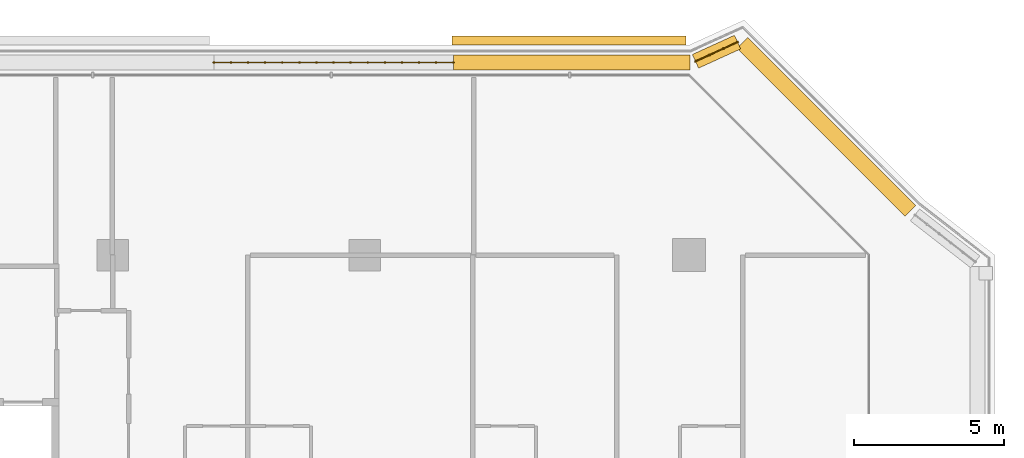
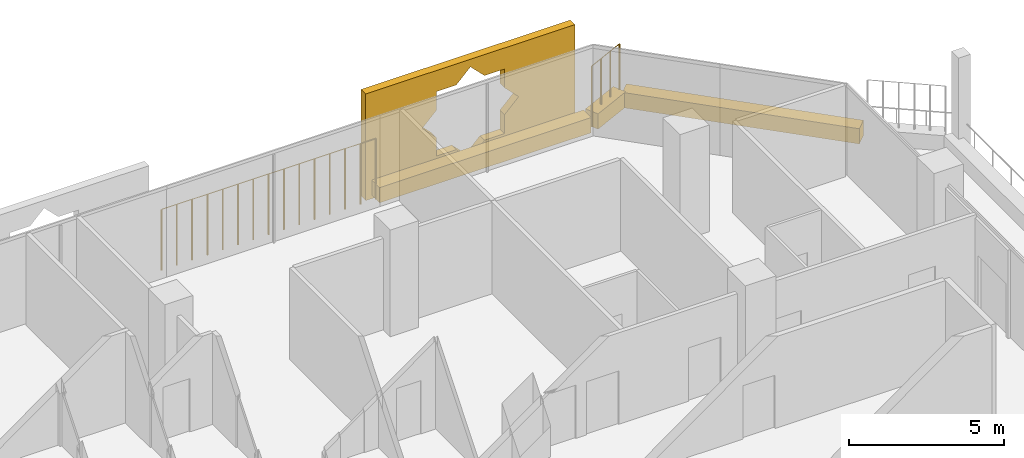
# One storey, part 25 of 25: 4 coverings, 2 railings.
"""IFC4 building model written with IfcOpenShell, lengths in metres."""

import ifcopenshell
import ifcopenshell.guid

model = None  # the IFC model being written
_history = None  # IfcOwnerHistory: only IFC2X3 demands one
_inside = {}  # id of a spatial element -> (the spatial element, [elements in it])
_under = {}  # id of a project, library or spatial element -> (it, [spatial elements below it])
_declared = {}  # id of a project -> (the project, [libraries it declares])
_typed = {}  # id of a type object -> (the type object, [elements of that type])
_made_of = {}  # id of a material, layer set ... -> (it, [elements and type objects made of it])


def new_model(schema):
    """Start an empty IFC model of exactly this schema.

    Asked for "IFC4X3", IfcOpenShell would pick the latest addendum, in which some entities
    have other attributes; the version numbers below select the first issue.
    IFC2X3 requires an IfcOwnerHistory on every rooted entity: one is made here for all.
    """
    global model, _history
    if schema == "IFC4X3":
        model = ifcopenshell.file(schema_version=(4, 3, 0, 0))
    else:
        model = ifcopenshell.file(schema=schema)
    _inside.clear()
    _under.clear()
    _declared.clear()
    _typed.clear()
    _made_of.clear()
    _history = None
    if model.schema == "IFC2X3":
        org = make("IfcOrganization", Name="unknown")
        user = make(
            "IfcPersonAndOrganization",
            ThePerson=make("IfcPerson", FamilyName="unknown"),
            TheOrganization=org,
        )
        app = make(
            "IfcApplication",
            ApplicationDeveloper=org,
            Version="unknown",
            ApplicationFullName="unknown",
            ApplicationIdentifier="unknown",
        )
        _history = make(
            "IfcOwnerHistory",
            OwningUser=user,
            OwningApplication=app,
            ChangeAction="ADDED",
            CreationDate=0,
        )
    return model


def make(cls, **values):
    """One entity of the class cls with the attributes given. An attribute that is None is left unset."""
    return model.create_entity(
        cls, **{name: value for name, value in values.items() if value is not None}
    )


def rooted(cls, **values):
    """An entity with a GlobalId (a new one), such as an element, a storey or a relation."""
    return make(cls, GlobalId=ifcopenshell.guid.new(), OwnerHistory=_history, **values)


def si_unit(unit_type, name, prefix=None):
    """IfcSIUnit, for example si_unit("LENGTHUNIT", "METRE", prefix="MILLI")."""
    return make("IfcSIUnit", UnitType=unit_type, Prefix=prefix, Name=name)


def assignment(units):
    """IfcUnitAssignment: the units of a project."""
    return None if units is None else make("IfcUnitAssignment", Units=units)


def point(xyz):
    """IfcCartesianPoint."""
    return None if xyz is None else make("IfcCartesianPoint", Coordinates=xyz)


def direction(xyz):
    """IfcDirection."""
    return None if xyz is None else make("IfcDirection", DirectionRatios=xyz)


def frame(location, z_axis=None, x_axis=None):
    """IfcAxis2Placement3D, a coordinate frame: its origin and axes. An axis left out is left unset."""
    return make(
        "IfcAxis2Placement3D",
        Location=point(location),
        Axis=direction(z_axis),
        RefDirection=direction(x_axis),
    )


def frame_2d(location, x_axis=None):
    """IfcAxis2Placement2D, a coordinate frame in the plane: its origin and x axis."""
    return make(
        "IfcAxis2Placement2D", Location=point(location), RefDirection=direction(x_axis)
    )


def origin():
    """The frame at (0, 0, 0) with its axes left unset."""
    return frame((0.0, 0.0, 0.0))


def origin_2d():
    """The frame at (0, 0) in the plane with its x axis left unset."""
    return frame_2d((0.0, 0.0))


def place(relative_to, where):
    """IfcLocalPlacement: puts the frame where relative to a parent placement (None: the world)."""
    return make(
        "IfcLocalPlacement", PlacementRelTo=relative_to, RelativePlacement=where
    )


def context(
    kind, dimensions, precision=None, world=None, true_north=None, identifier=None
):
    """IfcGeometricRepresentationContext, for example the 3D "Model" context."""
    return make(
        "IfcGeometricRepresentationContext",
        ContextIdentifier=identifier,
        ContextType=kind,
        CoordinateSpaceDimension=dimensions,
        Precision=precision,
        WorldCoordinateSystem=world,
        TrueNorth=true_north,
    )


def subcontext(parent, identifier, kind, view, scale=None):
    """IfcGeometricRepresentationSubContext, for example "Body" below "Model"."""
    return make(
        "IfcGeometricRepresentationSubContext",
        ContextIdentifier=identifier,
        ContextType=kind,
        ParentContext=parent,
        TargetScale=scale,
        TargetView=view,
    )


def project(units=None, contexts=None):
    """IfcProject with its units and contexts."""
    return rooted(
        "IfcProject",
        Name="project",
        RepresentationContexts=contexts,
        UnitsInContext=assignment(units),
    )


def spatial(cls, under=None, at=None, **own):
    """A site, building, storey or space (cls), placed at a placement, below another one or the project."""
    s = rooted(cls, ObjectPlacement=at, **own)
    if under is not None:
        _under.setdefault(under.id(), (under, []))[1].append(s)
    return s


def polyline(points):
    """IfcPolyline through the points."""
    return make("IfcPolyline", Points=[point(p) for p in points])


def profile(cls, at=None, kind="AREA", **sizes):
    """A parametric profile (cls). Its sizes go by their IFC names, for example OverallWidth=200.0."""
    return make(cls, ProfileType=kind, Position=at, **sizes)


def rectangle(**sizes):
    """IfcRectangleProfileDef."""
    return profile("IfcRectangleProfileDef", **sizes)


def circle(**sizes):
    """IfcCircleProfileDef."""
    return profile("IfcCircleProfileDef", **sizes)


def outline(outer, holes=None, kind="AREA"):
    """IfcArbitraryClosedProfileDef: a profile drawn as a closed curve; with holes, ...WithVoids."""
    if holes is None:
        return make("IfcArbitraryClosedProfileDef", ProfileType=kind, OuterCurve=outer)
    return make(
        "IfcArbitraryProfileDefWithVoids",
        ProfileType=kind,
        OuterCurve=outer,
        InnerCurves=holes,
    )


def extrude(swept, where, along, depth):
    """IfcExtrudedAreaSolid: the profile swept, set in the frame where, extruded along a direction by depth."""
    return make(
        "IfcExtrudedAreaSolid",
        SweptArea=swept,
        Position=where,
        ExtrudedDirection=direction(along),
        Depth=depth,
    )


def shape(context_of_items, identifier, shape_type, items):
    """IfcShapeRepresentation: the items that make up one representation, for example the "Body"."""
    return make(
        "IfcShapeRepresentation",
        ContextOfItems=context_of_items,
        RepresentationIdentifier=identifier,
        RepresentationType=shape_type,
        Items=items,
    )


def material(Name=None, Category=None):
    """IfcMaterial."""
    return make("IfcMaterial", Name=Name, Category=Category)


def material_profile(
    of_material, cross_section, Name=None, Category=None, Priority=None
):
    """IfcMaterialProfile: a cross section and its material."""
    return make(
        "IfcMaterialProfile",
        Name=Name,
        Material=of_material,
        Profile=cross_section,
        Priority=Priority,
        Category=Category,
    )


def profile_set(profiles, Name=None, composite=None):
    """IfcMaterialProfileSet."""
    return make(
        "IfcMaterialProfileSet",
        Name=Name,
        MaterialProfiles=profiles,
        CompositeProfile=composite,
    )


def made_of(thing, what):
    """Note that an element or type object is made of a material, layer set ...; save() writes the relation."""
    if what is not None:
        _made_of.setdefault(what.id(), (what, []))[1].append(thing)
    return thing


def type_object(cls, material=None, **own):
    """A type object (cls), such as IfcWallType, which elements share."""
    return made_of(rooted(cls, **own), material)


def element(
    cls,
    number,
    at=None,
    inside=None,
    cuts=None,
    type_object=None,
    material=None,
    context=None,
    identifier="Body",
    shape_type=None,
    held_by="IfcProductDefinitionShape",
    body=None,
    shapes=None,
    **own,
):
    """One element of the class cls, such as IfcWall. Its Tag is "e" and its number.

    at: its placement. inside: the storey or other place that contains it. cuts: it is an
    opening in that element (IfcRelVoidsElement). A single representation is given by context,
    identifier, shape_type and body (its items); several are given by shapes. held_by: the class
    of the entity that holds the representations. save() writes the other relations.
    """
    e = rooted(cls, Tag="e%d" % number, ObjectPlacement=at, **own)
    if body is not None:
        shapes = [shape(context, identifier, shape_type, body)]
    if shapes is not None:
        e.Representation = make(held_by, Representations=shapes)
    if inside is not None:
        _inside.setdefault(inside.id(), (inside, []))[1].append(e)
    if cuts is not None:
        rooted(
            "IfcRelVoidsElement", RelatingBuildingElement=cuts, RelatedOpeningElement=e
        )
    if type_object is not None:
        _typed.setdefault(type_object.id(), (type_object, []))[1].append(e)
    return made_of(e, material)


def aggregate(whole, parts):
    """IfcRelAggregates: a whole, such as a stair, and the parts it consists of."""
    return rooted("IfcRelAggregates", RelatingObject=whole, RelatedObjects=parts)


def save(model, path):
    """Write the relations noted so far, then the file.

    IfcRelAggregates (storeys below a building ...), IfcRelContainedInSpatialStructure (elements
    in a storey), IfcRelDefinesByType, IfcRelAssociatesMaterial and IfcRelDeclares: one each for
    every whole, place, type object, material and project.
    """
    for whole, parts in _under.values():
        aggregate(whole, parts)
    for where, things in _inside.values():
        rooted(
            "IfcRelContainedInSpatialStructure",
            RelatedElements=things,
            RelatingStructure=where,
        )
    for kind, things in _typed.values():
        rooted("IfcRelDefinesByType", RelatedObjects=things, RelatingType=kind)
    for what, things in _made_of.values():
        rooted("IfcRelAssociatesMaterial", RelatedObjects=things, RelatingMaterial=what)
    for by, libraries in _declared.values():
        rooted("IfcRelDeclares", RelatingContext=by, RelatedDefinitions=libraries)
    model.write(path)


model = new_model("IFC4")

# Units and contexts
model_context = context("Model", 3, precision=1e-05, world=origin(), true_north=direction((0.0, 1.0)))
body_context = subcontext(model_context, "Body", "Model", "MODEL_VIEW")
ifc_project = project(units=[si_unit("LENGTHUNIT", "METRE"), si_unit("AREAUNIT", "SQUARE_METRE"), si_unit("VOLUMEUNIT", "CUBIC_METRE"), si_unit("PLANEANGLEUNIT", "RADIAN"), si_unit("MASSUNIT", "GRAM", prefix="KILO")], contexts=[model_context])

# Site, building, storey
site_placement = place(None, origin())
site = spatial("IfcSite", under=ifc_project, at=site_placement, CompositionType="ELEMENT")
building_placement = place(site_placement, origin())
building = spatial("IfcBuilding", under=site, at=building_placement, Name="Kawkab Arch Medical Tower", CompositionType="ELEMENT")
storey_placement = place(building_placement, frame((0.0, 0.0, 128.199951171875)))
storey = spatial("IfcBuildingStorey", under=building, at=storey_placement, Name="L29", CompositionType="ELEMENT", Elevation=128.199951171875)

# Coverings
ifc_material_1 = material(Name="Bronze anodised aluminium mashrabiya panel, eight-point star pattern", Category="aluminium")
ifc_material_profile_1 = material_profile(ifc_material_1, outline(polyline([(-3.89990234375, -2.10009765625), (3.89990234375, -2.10009765625), (3.89990234375, 2.10009765625), (-3.89990234375, 2.10009765625), (-3.89990234375, -2.10009765625)]), holes=[polyline([(1.800048828125, 0.0), (1.272705078125, 0.527099609375), (1.272705078125, 1.272705078125), (0.527099609375, 1.272705078125), (0.0, 1.800048828125), (-0.527099609375, 1.272705078125), (-1.272705078125, 1.272705078125), (-1.272705078125, 0.527099609375), (-1.800048828125, 0.0), (-1.272705078125, -0.527099609375), (-1.272705078125, -1.272705078125), (-0.527099609375, -1.272705078125), (0.0, -1.800048828125), (0.527099609375, -1.272705078125), (1.272705078125, -1.272705078125), (1.272705078125, -0.527099609375), (1.800048828125, 0.0)])]), Name="Mashrabiya panel 7800x4200")
ifc_profile_set_1 = profile_set([ifc_material_profile_1], Name="Bronze anodised aluminium mashrabiya panel, eight-point star pattern")
covering_type_1 = type_object("IfcCoveringType", Name="Mashrabiya panel 7800 x 4200", PredefinedType="USERDEFINED", material=ifc_profile_set_1)
covering_1_placement = place(storey_placement, frame((65.60693359375, 7.0, 1.699951171875), z_axis=(0.0, 1.0, 0.0), x_axis=(-1.0, 0.0, 0.0)))
element("IfcCovering", 1, at=covering_1_placement, inside=storey, type_object=covering_type_1, Name="Mashrabiya panel L29.LOG-01-01.9", ObjectType="SCREEN", PredefinedType="USERDEFINED", context=body_context, shape_type="SweptSolid", body=[
    extrude(outline(polyline([(-3.89990234375, -2.10009765625), (3.89990234375, -2.10009765625), (3.89990234375, 2.10009765625), (-3.89990234375, 2.10009765625), (-3.89990234375, -2.10009765625)]), holes=[polyline([(1.800048828125, 0.0), (1.272705078125, 0.527099609375), (1.272705078125, 1.272705078125), (0.527099609375, 1.272705078125), (0.0, 1.800048828125), (-0.527099609375, 1.272705078125), (-1.272705078125, 1.272705078125), (-1.272705078125, 0.527099609375), (-1.800048828125, 0.0), (-1.272705078125, -0.527099609375), (-1.272705078125, -1.272705078125), (-0.527099609375, -1.272705078125), (0.0, -1.800048828125), (0.527099609375, -1.272705078125), (1.272705078125, -1.272705078125), (1.272705078125, -0.527099609375), (1.800048828125, 0.0)])]), origin(), (0.0, 0.0, 1.0), 0.300048828125),
])
ifc_material_2 = material(Name="Planting soil in a precast trough", Category="concrete")
ifc_material_profile_2 = material_profile(ifc_material_2, rectangle(XDim=0.5, YDim=0.60009765625, at=origin_2d()), Name="Trough 500x600")
ifc_profile_set_2 = profile_set([ifc_material_profile_2], Name="Planting soil in a precast trough")
covering_type_2 = type_object("IfcCoveringType", Name="Planter trough 500 x 600", PredefinedType="USERDEFINED", material=ifc_profile_set_2)
covering_2_placement = place(storey_placement, frame((61.743896484375, 6.419921875, 0.300048828125), z_axis=(1.0, 0.0, 0.0), x_axis=(0.0, 1.0, 0.0)))
element("IfcCovering", 2, at=covering_2_placement, inside=storey, type_object=covering_type_2, Name="Planter L29.LOG-01-01.24", ObjectType="PLANTER", PredefinedType="USERDEFINED", context=body_context, shape_type="SweptSolid", body=[
    extrude(rectangle(XDim=0.5, YDim=0.60009765625, at=origin_2d()), origin(), (0.0, 0.0, 1.0), 7.882080078125),
])
covering_3_placement = place(storey_placement, frame((69.81689453125, 6.4609375, 0.300048828125), z_axis=(0.909655525109, 0.415363486165, 0.0), x_axis=(-0.415363486165, 0.909655525109, 0.0)))
element("IfcCovering", 3, at=covering_3_placement, inside=storey, type_object=covering_type_2, Name="Planter L29.LOG-01-01.25", ObjectType="PLANTER", PredefinedType="USERDEFINED", context=body_context, shape_type="SweptSolid", body=[
    extrude(rectangle(XDim=0.5, YDim=0.60009765625, at=origin_2d()), origin(), (0.0, 0.0, 1.0), 1.54345703125),
])
covering_4_placement = place(storey_placement, frame((71.383056640625, 7.072998046875, 0.300048828125), z_axis=(0.707091367247, -0.70712219479, 0.0), x_axis=(0.70712219479, 0.707091367247, 0.0)))
element("IfcCovering", 4, at=covering_4_placement, inside=storey, type_object=covering_type_2, Name="Planter L29.LOG-01-01.26", ObjectType="PLANTER", PredefinedType="USERDEFINED", context=body_context, shape_type="SweptSolid", body=[
    extrude(rectangle(XDim=0.5, YDim=0.60009765625, at=origin_2d()), origin(), (0.0, 0.0, 1.0), 7.919677734375),
])

# Railings
ifc_material_3 = material(Name="Bronze anodised aluminium trellis for climbing plants", Category="aluminium")
railing_type = type_object("IfcRailingType", Name="Planting trellis 2400", PredefinedType="USERDEFINED", material=ifc_material_3)
railing_1_placement = place(storey_placement, frame((53.762939453125, 6.419921875, 0.0)))
element("IfcRailing", 5, at=railing_1_placement, inside=storey, type_object=railing_type, Name="Planting trellis L29.LOG-01-01.23", ObjectType="TRELLIS", PredefinedType="USERDEFINED", context=body_context, shape_type="SweptSolid", body=[
    extrude(circle(Radius=0.01513671875, at=origin_2d()), frame((0.0, 0.0, 2.384765625), z_axis=(1.0, 0.0, 0.0), x_axis=(0.0, 1.0, 0.0)), (0.0, 0.0, 1.0), 7.98095703125),
    extrude(circle(Radius=0.030029296875, at=origin_2d()), origin(), (0.0, 0.0, 1.0), 2.369873046875),
    extrude(circle(Radius=0.030029296875, at=origin_2d()), frame((0.570068359375, 0.0, 0.0)), (0.0, 0.0, 1.0), 2.369873046875),
    extrude(circle(Radius=0.030029296875, at=origin_2d()), frame((1.14013671875, 0.0, 0.0)), (0.0, 0.0, 1.0), 2.369873046875),
    extrude(circle(Radius=0.030029296875, at=origin_2d()), frame((1.710205078125, 0.0, 0.0)), (0.0, 0.0, 1.0), 2.369873046875),
    extrude(circle(Radius=0.030029296875, at=origin_2d()), frame((2.2802734375, 0.0, 0.0)), (0.0, 0.0, 1.0), 2.369873046875),
    extrude(circle(Radius=0.030029296875, at=origin_2d()), frame((2.850341796875, 0.0, 0.0)), (0.0, 0.0, 1.0), 2.369873046875),
    extrude(circle(Radius=0.030029296875, at=origin_2d()), frame((3.42041015625, 0.0, 0.0)), (0.0, 0.0, 1.0), 2.369873046875),
    extrude(circle(Radius=0.030029296875, at=origin_2d()), frame((3.990478515625, 0.0, 0.0)), (0.0, 0.0, 1.0), 2.369873046875),
    extrude(circle(Radius=0.030029296875, at=origin_2d()), frame((4.560546875, 0.0, 0.0)), (0.0, 0.0, 1.0), 2.369873046875),
    extrude(circle(Radius=0.030029296875, at=origin_2d()), frame((5.130615234375, 0.0, 0.0)), (0.0, 0.0, 1.0), 2.369873046875),
    extrude(circle(Radius=0.030029296875, at=origin_2d()), frame((5.70068359375, 0.0, 0.0)), (0.0, 0.0, 1.0), 2.369873046875),
    extrude(circle(Radius=0.030029296875, at=origin_2d()), frame((6.270751953125, 0.0, 0.0)), (0.0, 0.0, 1.0), 2.369873046875),
    extrude(circle(Radius=0.030029296875, at=origin_2d()), frame((6.8408203125, 0.0, 0.0)), (0.0, 0.0, 1.0), 2.369873046875),
    extrude(circle(Radius=0.030029296875, at=origin_2d()), frame((7.410888671875, 0.0, 0.0)), (0.0, 0.0, 1.0), 2.369873046875),
    extrude(circle(Radius=0.030029296875, at=origin_2d()), frame((7.98095703125, 0.0, 0.0)), (0.0, 0.0, 1.0), 2.369873046875),
])
railing_2_placement = place(storey_placement, frame((69.81689453125, 6.4609375, 0.0)))
element("IfcRailing", 6, at=railing_2_placement, inside=storey, type_object=railing_type, Name="Planting trellis L29.LOG-01-01.25", ObjectType="TRELLIS", PredefinedType="USERDEFINED", context=body_context, shape_type="SweptSolid", body=[
    extrude(circle(Radius=0.01513671875, at=origin_2d()), frame((0.0, 0.0, 2.384765625), z_axis=(0.909655525109, 0.415363486165, 0.0), x_axis=(-0.415363486165, 0.909655525109, 0.0)), (0.0, 0.0, 1.0), 1.54345703125),
    extrude(circle(Radius=0.030029296875, at=origin_2d()), origin(), (0.0, 0.0, 1.0), 2.369873046875),
    extrude(circle(Radius=0.030029296875, at=origin_2d()), frame((0.468017578125, 0.213623046875, 0.0)), (0.0, 0.0, 1.0), 2.369873046875),
    extrude(circle(Radius=0.030029296875, at=origin_2d()), frame((0.93603515625, 0.427490234375, 0.0)), (0.0, 0.0, 1.0), 2.369873046875),
    extrude(circle(Radius=0.030029296875, at=origin_2d()), frame((1.404052734375, 0.64111328125, 0.0)), (0.0, 0.0, 1.0), 2.369873046875),
])

save(model, "model.ifc")
